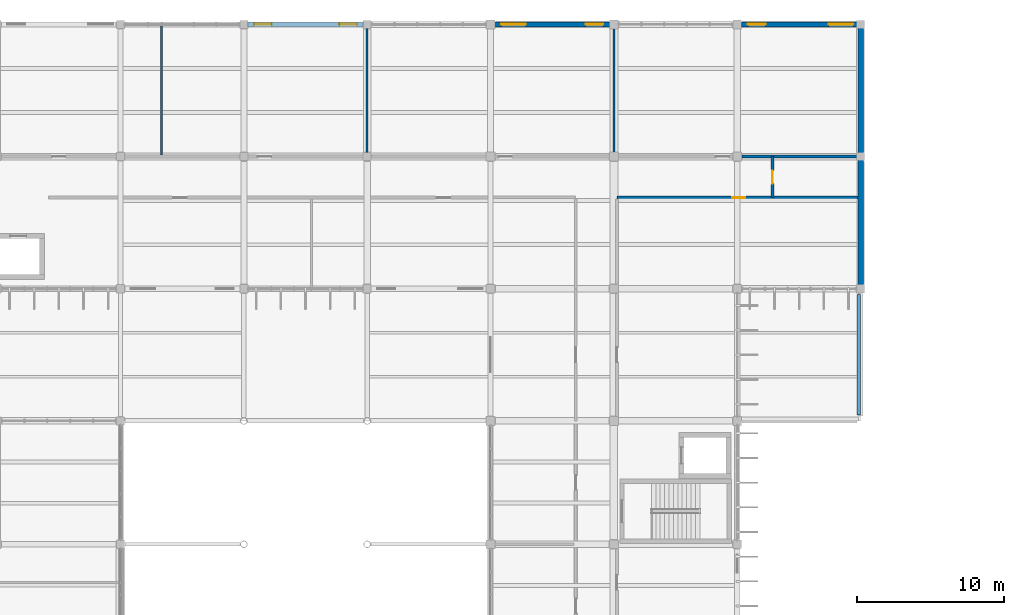
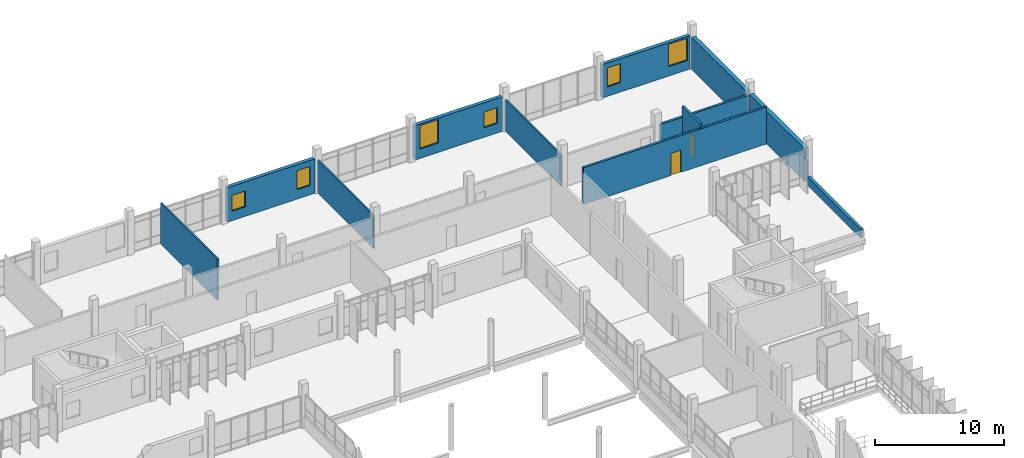
# One storey, part 117 of 130: 12 walls, 6 windows, 2 doors, 8 openings.
"""IFC4 building model written with IfcOpenShell, lengths in metres."""

from ifc_helpers import new_model, si_unit, direction, frame, frame_2d, origin, place, context, subcontext, project, spatial, rectangle, extrude, material, layer, layer_set, type_object, element, fill, save


model = new_model("IFC4")

# Units and contexts
model_context = context("Model", 3, precision=1e-05, world=origin(), true_north=direction((0.0, 1.0)))
body_context = subcontext(model_context, "Body", "Model", "MODEL_VIEW")
ifc_project = project(units=[si_unit("LENGTHUNIT", "METRE"), si_unit("AREAUNIT", "SQUARE_METRE"), si_unit("VOLUMEUNIT", "CUBIC_METRE"), si_unit("PLANEANGLEUNIT", "RADIAN"), si_unit("MASSUNIT", "GRAM", prefix="KILO")], contexts=[model_context])

# Site, building, storey
site_placement = place(None, origin())
site = spatial("IfcSite", under=ifc_project, at=site_placement, CompositionType="ELEMENT")
building_placement = place(site_placement, origin())
building = spatial("IfcBuilding", under=site, at=building_placement, Name="Vireocrest Preparatory School", CompositionType="ELEMENT")
storey_placement = place(building_placement, frame((0.0, 0.0, 9.0)))
storey = spatial("IfcBuildingStorey", under=building, at=storey_placement, Name="L02", CompositionType="ELEMENT", Elevation=9.0)

# Walls
ifc_material_1 = material(Name="Gypsum board on cold-formed steel studs", Category="steel")
ifc_layer_1 = layer(ifc_material_1, 0.139892578125)
ifc_layer_set_1 = layer_set([ifc_layer_1], Name="Gypsum board on cold-formed steel studs")
wall_type_1 = type_object("IfcWallType", Name="Classroom Acoustic Partition Wall 140", PredefinedType="PARTITIONING", material=ifc_layer_set_1)
wall_1_placement = place(storey_placement, frame((70.0, 103.905029296875, 0.0), z_axis=(0.0, 0.0, 1.0), x_axis=(0.0, 1.0, 0.0)))
element("IfcWall", 1, at=wall_1_placement, inside=storey, type_object=wall_type_1, Name="Interior Partition W03 IW_L02_0206", PredefinedType="PARTITIONING", context=body_context, shape_type="SweptSolid", body=[
    extrude(rectangle(XDim=8.7900390625, YDim=0.139892578125, at=frame_2d((4.39501953125, 0.0))), origin(), (0.0, 0.0, 1.0), 3.89990234375),
])
wall_2_placement = place(storey_placement, frame((84.0, 103.905029296875, 0.0), z_axis=(0.0, 0.0, 1.0), x_axis=(0.0, 1.0, 0.0)))
element("IfcWall", 2, at=wall_2_placement, inside=storey, type_object=wall_type_1, Name="Interior Partition W03 IW_L02_0207", PredefinedType="PARTITIONING", context=body_context, shape_type="SweptSolid", body=[
    extrude(rectangle(XDim=8.72998046875, YDim=0.139892578125, at=frame_2d((4.364990234375, 0.0))), origin(), (0.0, 0.0, 1.0), 3.110107421875),
])
wall_3_placement = place(storey_placement, frame((100.800048828125, 103.905029296875, 0.0), z_axis=(0.0, 0.0, 1.0), x_axis=(0.0, 1.0, 0.0)))
element("IfcWall", 3, at=wall_3_placement, inside=storey, type_object=wall_type_1, Name="Interior Partition W03 IW_L02_0208", PredefinedType="PARTITIONING", context=body_context, shape_type="SweptSolid", body=[
    extrude(rectangle(XDim=8.72998046875, YDim=0.139892578125, at=frame_2d((4.364990234375, 0.0))), origin(), (0.0, 0.0, 1.0), 2.9599609375),
])

# Wall, opening, door
ifc_layer_2 = layer(ifc_material_1, 0.199951171875)
ifc_layer_set_2 = layer_set([ifc_layer_2], Name="Gypsum board on cold-formed steel studs")
wall_type_2 = type_object("IfcWallType", Name="Corridor One-Hour Fire Partition 200", PredefinedType="PARTITIONING", material=ifc_layer_set_2)
wall_4_placement = place(storey_placement, frame((111.60009765625, 101.010009765625, 0.0), z_axis=(0.0, 0.0, 1.0), x_axis=(0.0, 1.0, 0.0)))
wall_4 = element("IfcWall", 4, at=wall_4_placement, inside=storey, type_object=wall_type_2, Name="Interior Partition W06 IW_L02_0204", PredefinedType="PARTITIONING", context=body_context, shape_type="SweptSolid", body=[
    extrude(rectangle(XDim=2.780029296875, YDim=0.199951171875, at=frame_2d((1.39013671875, 0.0))), origin(), (0.0, 0.0, 1.0), 3.89990234375),
])
opening_1_placement = place(wall_4_placement, frame((0.93994140625, 0.0, 0.0)))
opening_1 = element("IfcOpeningElement", 5, at=opening_1_placement, cuts=wall_4, Name="Opening D-L02-NCEND", PredefinedType="OPENING", context=body_context, shape_type="SweptSolid", body=[
    extrude(rectangle(XDim=0.89990234375, YDim=2.10009765625, at=frame_2d((0.449951171875, 1.050048828125))), frame((0.0, 0.10986328125, 0.0), z_axis=(0.0, -1.0, 0.0), x_axis=(1.0, 0.0, 0.0)), (0.0, 0.0, 1.0), 0.219970703125),
])
ifc_material_2 = material(Name="Solid-core architectural birch timber", Category="wood")
door_type = type_object("IfcDoorType", Name="Office Timber Door 900x2100", OperationType="NOTDEFINED", PredefinedType="DOOR", material=ifc_material_2)
door_1_placement = place(opening_1_placement, origin())
door_1 = element("IfcDoor", 6, at=door_1_placement, inside=storey, type_object=door_type, Name="Interior Door D-L02-NCEND", OperationType="SINGLE_SWING_RIGHT", OverallHeight=2.10009765625, OverallWidth=0.89990234375, PredefinedType="DOOR", context=body_context, shape_type="SweptSolid", body=[
    extrude(rectangle(XDim=0.89990234375, YDim=2.10009765625, at=frame_2d((0.449951171875, 1.050048828125))), frame((0.0, 0.02490234375, 0.0), z_axis=(0.0, -1.0, 0.0), x_axis=(1.0, 0.0, 0.0)), (0.0, 0.0, 1.0), 0.050048828125),
])
fill(opening_1, door_1)

# Wall
wall_5_placement = place(storey_placement, frame((109.510009765625, 103.800048828125, 0.0), z_axis=(0.0, 0.0, 1.0), x_axis=(1.0, 0.0, 0.0)))
element("IfcWall", 7, at=wall_5_placement, inside=storey, type_object=wall_type_2, Name="Interior Partition W06 IW_L02_0217", PredefinedType="PARTITIONING", context=body_context, shape_type="SweptSolid", body=[
    extrude(rectangle(XDim=7.89501953125, YDim=0.199951171875, at=frame_2d((3.947509765625, 0.0))), origin(), (0.0, 0.0, 1.0), 2.909912109375),
])

# Wall, opening, door
wall_6_placement = place(storey_placement, frame((101.010009765625, 101.0, 0.0), z_axis=(0.0, 0.0, 1.0), x_axis=(1.0, 0.0, 0.0)))
wall_6 = element("IfcWall", 8, at=wall_6_placement, inside=storey, type_object=wall_type_2, Name="Interior Partition W06 IW_L02_0221", PredefinedType="PARTITIONING", context=body_context, shape_type="SweptSolid", body=[
    extrude(rectangle(XDim=16.39501953125, YDim=0.199951171875, at=frame_2d((8.197509765625, 0.0))), origin(), (0.0, 0.0, 1.0), 3.47998046875),
])
opening_2_placement = place(wall_6_placement, frame((7.840087890625, 0.0, 0.0)))
opening_2 = element("IfcOpeningElement", 9, at=opening_2_placement, cuts=wall_6, Name="Opening D-L02-N2S01", PredefinedType="OPENING", context=body_context, shape_type="SweptSolid", body=[
    extrude(rectangle(XDim=0.89990234375, YDim=2.10009765625, at=frame_2d((0.449951171875, 1.050048828125))), frame((0.0, 0.10986328125, 0.0), z_axis=(0.0, -1.0, 0.0), x_axis=(1.0, 0.0, 0.0)), (0.0, 0.0, 1.0), 0.219970703125),
])
door_2_placement = place(opening_2_placement, origin())
door_2 = element("IfcDoor", 10, at=door_2_placement, inside=storey, type_object=door_type, Name="Interior Door D-L02-N2S01", OperationType="SINGLE_SWING_RIGHT", OverallHeight=2.10009765625, OverallWidth=0.89990234375, PredefinedType="DOOR", context=body_context, shape_type="SweptSolid", body=[
    extrude(rectangle(XDim=0.89990234375, YDim=2.10009765625, at=frame_2d((0.449951171875, 1.050048828125))), frame((0.0, 0.02490234375, 0.0), z_axis=(0.0, -1.0, 0.0), x_axis=(1.0, 0.0, 0.0)), (0.0, 0.0, 1.0), 0.050048828125),
])
fill(opening_2, door_2)

# Wall, openings, windows
ifc_material_3 = material(Name="Precast white concrete 40 MPa", Category="concrete")
ifc_layer_3 = layer(ifc_material_3, 0.320068359375)
ifc_layer_set_3 = layer_set([ifc_layer_3], Name="Precast white concrete 40 MPa")
wall_type_3 = type_object("IfcWallType", Name="High-Tech Insulated Rainscreen External Wall 320", PredefinedType="SOLIDWALL", material=ifc_layer_set_3)
wall_7_placement = place(storey_placement, frame((75.85009765625, 112.800048828125, 0.0), z_axis=(0.0, 0.0, 1.0), x_axis=(1.0, 0.0, 0.0)))
wall_7 = element("IfcWall", 11, at=wall_7_placement, inside=storey, type_object=wall_type_3, Name="External Wall W12 EW_L02_0241", PredefinedType="SOLIDWALL", context=body_context, shape_type="SweptSolid", body=[
    extrude(rectangle(XDim=7.89990234375, YDim=0.320068359375, at=frame_2d((3.949951171875, 0.0))), origin(), (0.0, 0.0, 1.0), 3.260009765625),
])
opening_3_placement = place(wall_7_placement, frame((0.449951171875, 0.0, 0.89990234375)))
opening_3 = element("IfcOpeningElement", 12, at=opening_3_placement, cuts=wall_7, Name="Opening WN01", PredefinedType="OPENING", context=body_context, shape_type="SweptSolid", body=[
    extrude(rectangle(XDim=1.199951171875, YDim=1.5, at=frame_2d((0.60009765625, 0.75))), frame((0.0, 0.169921875, 0.0), z_axis=(0.0, -1.0, 0.0), x_axis=(1.0, 0.0, 0.0)), (0.0, 0.0, 1.0), 0.340087890625),
])
opening_4_placement = place(wall_7_placement, frame((6.25, 0.0, 0.89990234375)))
opening_4 = element("IfcOpeningElement", 13, at=opening_4_placement, cuts=wall_7, Name="Opening WN02", PredefinedType="OPENING", context=body_context, shape_type="SweptSolid", body=[
    extrude(rectangle(XDim=1.199951171875, YDim=1.800048828125, at=frame_2d((0.60009765625, 0.89990234375))), frame((0.0, 0.169921875, 0.0), z_axis=(0.0, -1.0, 0.0), x_axis=(1.0, 0.0, 0.0)), (0.0, 0.0, 1.0), 0.340087890625),
])
ifc_material_4 = material(Name="Thermally broken aluminium EN AW-6063-T6", Category="aluminium")
window_type_1 = type_object("IfcWindowType", Name="Counseling Window 1200x1800", PartitioningType="SINGLE_PANEL", PredefinedType="WINDOW", material=ifc_material_4)
window_1_placement = place(opening_4_placement, origin())
window_1 = element("IfcWindow", 14, at=window_1_placement, inside=storey, type_object=window_type_1, Name="Window W-L02-109 (WN02)", OverallHeight=1.800048828125, OverallWidth=1.199951171875, PartitioningType="SINGLE_PANEL", PredefinedType="WINDOW", context=body_context, shape_type="SweptSolid", body=[
    extrude(rectangle(XDim=1.199951171875, YDim=1.800048828125, at=frame_2d((0.60009765625, 0.89990234375))), frame((0.0, 0.030029296875, 0.0), z_axis=(0.0, -1.0, 0.0), x_axis=(1.0, 0.0, 0.0)), (0.0, 0.0, 1.0), 0.06005859375),
])
fill(opening_4, window_1)
window_type_2 = type_object("IfcWindowType", Name="Office Punched Window 1200x1500", PartitioningType="SINGLE_PANEL", PredefinedType="WINDOW", material=ifc_material_4)
window_2_placement = place(opening_3_placement, origin())
window_2 = element("IfcWindow", 15, at=window_2_placement, inside=storey, type_object=window_type_2, Name="Window W-L02-108 (WN01)", OverallHeight=1.5, OverallWidth=1.199951171875, PartitioningType="SINGLE_PANEL", PredefinedType="WINDOW", context=body_context, shape_type="SweptSolid", body=[
    extrude(rectangle(XDim=1.199951171875, YDim=1.5, at=frame_2d((0.60009765625, 0.75))), frame((0.0, 0.030029296875, 0.0), z_axis=(0.0, -1.0, 0.0), x_axis=(1.0, 0.0, 0.0)), (0.0, 0.0, 1.0), 0.06005859375),
])
fill(opening_3, window_2)

wall_8_placement = place(storey_placement, frame((92.675048828125, 112.800048828125, 0.0), z_axis=(0.0, 0.0, 1.0), x_axis=(1.0, 0.0, 0.0)))
wall_8 = element("IfcWall", 16, at=wall_8_placement, inside=storey, type_object=wall_type_3, Name="External Wall W12 EW_L02_0243", PredefinedType="SOLIDWALL", context=body_context, shape_type="SweptSolid", body=[
    extrude(rectangle(XDim=7.849853515625, YDim=0.320068359375, at=frame_2d((3.9248046875, 0.0))), origin(), (0.0, 0.0, 1.0), 3.260009765625),
])
opening_5_placement = place(wall_8_placement, frame((0.449951171875, 0.0, 0.89990234375)))
opening_5 = element("IfcOpeningElement", 17, at=opening_5_placement, cuts=wall_8, Name="Opening WN07", PredefinedType="OPENING", context=body_context, shape_type="SweptSolid", body=[
    extrude(rectangle(XDim=1.679931640625, YDim=2.2099609375, at=frame_2d((0.83984375, 1.10498046875))), frame((0.0, 0.169921875, 0.0), z_axis=(0.0, -1.0, 0.0), x_axis=(1.0, 0.0, 0.0)), (0.0, 0.0, 1.0), 0.340087890625),
])
opening_6_placement = place(wall_8_placement, frame((6.199951171875, 0.0, 0.89990234375)))
opening_6 = element("IfcOpeningElement", 18, at=opening_6_placement, cuts=wall_8, Name="Opening WN01", PredefinedType="OPENING", context=body_context, shape_type="SweptSolid", body=[
    extrude(rectangle(XDim=1.199951171875, YDim=1.5, at=frame_2d((0.60009765625, 0.75))), frame((0.0, 0.169921875, 0.0), z_axis=(0.0, -1.0, 0.0), x_axis=(1.0, 0.0, 0.0)), (0.0, 0.0, 1.0), 0.340087890625),
])
window_type_3 = type_object("IfcWindowType", Name="Module Lab Window 1680x2400", PartitioningType="SINGLE_PANEL", PredefinedType="WINDOW", material=ifc_material_4)
window_3_placement = place(opening_5_placement, origin())
window_3 = element("IfcWindow", 19, at=window_3_placement, inside=storey, type_object=window_type_3, Name="Window W-L02-110 (WN07)", OverallHeight=2.2099609375, OverallWidth=1.679931640625, PartitioningType="SINGLE_PANEL", PredefinedType="WINDOW", context=body_context, shape_type="SweptSolid", body=[
    extrude(rectangle(XDim=1.679931640625, YDim=2.2099609375, at=frame_2d((0.83984375, 1.10498046875))), frame((0.0, 0.030029296875, 0.0), z_axis=(0.0, -1.0, 0.0), x_axis=(1.0, 0.0, 0.0)), (0.0, 0.0, 1.0), 0.06005859375),
])
fill(opening_5, window_3)
window_4_placement = place(opening_6_placement, origin())
window_4 = element("IfcWindow", 20, at=window_4_placement, inside=storey, type_object=window_type_2, Name="Window W-L02-111 (WN01)", OverallHeight=1.5, OverallWidth=1.199951171875, PartitioningType="SINGLE_PANEL", PredefinedType="WINDOW", context=body_context, shape_type="SweptSolid", body=[
    extrude(rectangle(XDim=1.199951171875, YDim=1.5, at=frame_2d((0.60009765625, 0.75))), frame((0.0, 0.030029296875, 0.0), z_axis=(0.0, -1.0, 0.0), x_axis=(1.0, 0.0, 0.0)), (0.0, 0.0, 1.0), 0.06005859375),
])
fill(opening_6, window_4)

wall_9_placement = place(storey_placement, frame((109.47509765625, 112.800048828125, 0.0), z_axis=(0.0, 0.0, 1.0), x_axis=(1.0, 0.0, 0.0)))
wall_9 = element("IfcWall", 21, at=wall_9_placement, inside=storey, type_object=wall_type_3, Name="External Wall W12 EW_L02_0245", PredefinedType="SOLIDWALL", context=body_context, shape_type="SweptSolid", body=[
    extrude(rectangle(XDim=7.875, YDim=0.320068359375, at=frame_2d((3.9375, 0.0))), origin(), (0.0, 0.0, 1.0), 3.159912109375),
])
opening_7_placement = place(wall_9_placement, frame((0.449951171875, 0.0, 0.89990234375)))
opening_7 = element("IfcOpeningElement", 22, at=opening_7_placement, cuts=wall_9, Name="Opening WN02", PredefinedType="OPENING", context=body_context, shape_type="SweptSolid", body=[
    extrude(rectangle(XDim=1.199951171875, YDim=1.800048828125, at=frame_2d((0.60009765625, 0.89990234375))), frame((0.0, 0.169921875, 0.0), z_axis=(0.0, -1.0, 0.0), x_axis=(1.0, 0.0, 0.0)), (0.0, 0.0, 1.0), 0.340087890625),
])
opening_8_placement = place(wall_9_placement, frame((5.945068359375, 0.0, 0.89990234375)))
opening_8 = element("IfcOpeningElement", 23, at=opening_8_placement, cuts=wall_9, Name="Opening WN07", PredefinedType="OPENING", context=body_context, shape_type="SweptSolid", body=[
    extrude(rectangle(XDim=1.679931640625, YDim=2.110107421875, at=frame_2d((0.83984375, 1.05517578125))), frame((0.0, 0.169921875, 0.0), z_axis=(0.0, -1.0, 0.0), x_axis=(1.0, 0.0, 0.0)), (0.0, 0.0, 1.0), 0.340087890625),
])
window_5_placement = place(opening_7_placement, origin())
window_5 = element("IfcWindow", 24, at=window_5_placement, inside=storey, type_object=window_type_1, Name="Window W-L02-112 (WN02)", OverallHeight=1.800048828125, OverallWidth=1.199951171875, PartitioningType="SINGLE_PANEL", PredefinedType="WINDOW", context=body_context, shape_type="SweptSolid", body=[
    extrude(rectangle(XDim=1.199951171875, YDim=1.800048828125, at=frame_2d((0.60009765625, 0.89990234375))), frame((0.0, 0.030029296875, 0.0), z_axis=(0.0, -1.0, 0.0), x_axis=(1.0, 0.0, 0.0)), (0.0, 0.0, 1.0), 0.06005859375),
])
fill(opening_7, window_5)
window_6_placement = place(opening_8_placement, origin())
window_6 = element("IfcWindow", 25, at=window_6_placement, inside=storey, type_object=window_type_3, Name="Window W-L02-113 (WN07)", OverallHeight=2.110107421875, OverallWidth=1.679931640625, PartitioningType="SINGLE_PANEL", PredefinedType="WINDOW", context=body_context, shape_type="SweptSolid", body=[
    extrude(rectangle(XDim=1.679931640625, YDim=2.110107421875, at=frame_2d((0.83984375, 1.05517578125))), frame((0.0, 0.030029296875, 0.0), z_axis=(0.0, -1.0, 0.0), x_axis=(1.0, 0.0, 0.0)), (0.0, 0.0, 1.0), 0.06005859375),
])
fill(opening_8, window_6)

# Walls
ifc_layer_4 = layer(ifc_material_3, 0.260009765625)
ifc_layer_set_4 = layer_set([ifc_layer_4], Name="Precast white concrete 40 MPa")
wall_type_4 = type_object("IfcWallType", Name="Insulated Roof Parapet Wall 260", PredefinedType="PARAPET", material=ifc_layer_set_4)
wall_10_placement = place(storey_placement, frame((117.469970703125, 86.18994140625, 0.0), z_axis=(0.0, 0.0, 1.0), x_axis=(0.0, 1.0, 0.0)))
element("IfcWall", 26, at=wall_10_placement, inside=storey, type_object=wall_type_4, Name="Roof Parapet W09 L02_NORTH_EAST_TIP_ROOF-4", PredefinedType="PARAPET", context=body_context, shape_type="SweptSolid", body=[
    extrude(rectangle(XDim=8.219970703125, YDim=0.260009765625, at=frame_2d((4.10986328125, 0.0))), origin(), (0.0, 0.0, 1.0), 0.85009765625),
])
ifc_material_5 = material(Name="Concrete 45 MPa", Category="concrete")
ifc_layer_5 = layer(ifc_material_5, 0.3798828125)
ifc_layer_set_5 = layer_set([ifc_layer_5], Name="Concrete 45 MPa")
wall_type_5 = type_object("IfcWallType", Name="Two-Hour RC Lot-Line Shear Wall 380", PredefinedType="SHEAR", material=ifc_layer_set_5)
wall_11_placement = place(storey_placement, frame((117.60009765625, 95.050048828125, 0.0), z_axis=(0.0, 0.0, 1.0), x_axis=(0.0, 1.0, 0.0)))
element("IfcWall", 27, at=wall_11_placement, inside=storey, type_object=wall_type_5, Name="External Wall PW1 PARTY_L02_0235", PredefinedType="SHEAR", context=body_context, shape_type="SweptSolid", body=[
    extrude(rectangle(XDim=8.5, YDim=0.3798828125, at=frame_2d((4.25, 0.0))), origin(), (0.0, 0.0, 1.0), 3.110107421875),
])
wall_12_placement = place(storey_placement, frame((117.60009765625, 104.050048828125, 0.0), z_axis=(0.0, 0.0, 1.0), x_axis=(0.0, 1.0, 0.0)))
element("IfcWall", 28, at=wall_12_placement, inside=storey, type_object=wall_type_5, Name="External Wall PW1 PARTY_L02_0236", PredefinedType="SHEAR", context=body_context, shape_type="SweptSolid", body=[
    extrude(rectangle(XDim=8.5, YDim=0.3798828125, at=frame_2d((4.25, 0.0))), origin(), (0.0, 0.0, 1.0), 3.06005859375),
])

save(model, "model.ifc")
